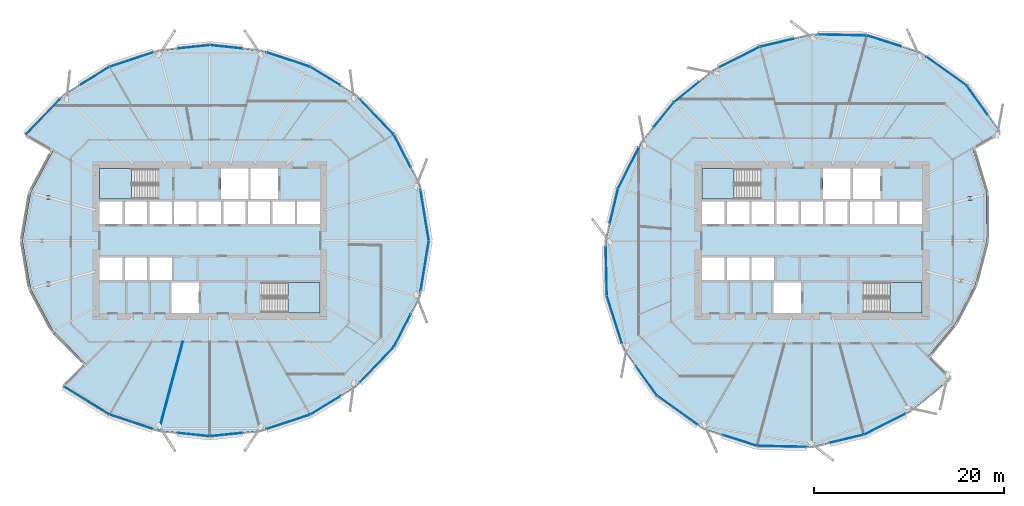
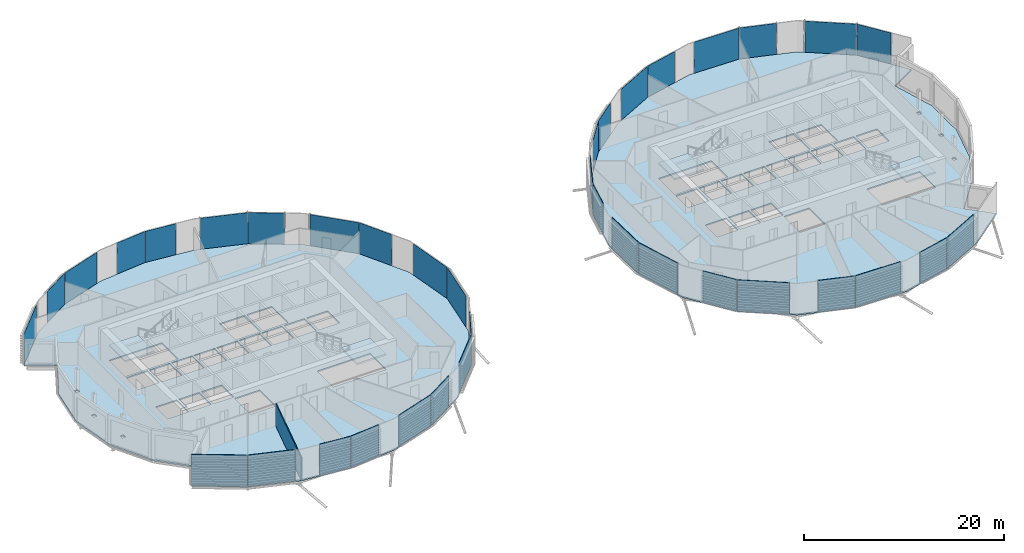
# One storey, part 19 of 38: 37 plates, 6 slabs, 1 wall, 6 elements without a shape of their own.
"""IFC4 building model written with IfcOpenShell, lengths in metres."""

from ifc_helpers import new_model, si_unit, direction, frame, frame_2d, origin, origin_2d, place, context, subcontext, project, spatial, polyline, rectangle, outline, extrude, material, layer, layer_set, type_object, element, aggregate, save


model = new_model("IFC4")

# Units and contexts
model_context = context("Model", 3, precision=1e-05, world=origin(), true_north=direction((0.0, 1.0)))
body_context = subcontext(model_context, "Body", "Model", "MODEL_VIEW")
ifc_project = project(units=[si_unit("LENGTHUNIT", "METRE"), si_unit("AREAUNIT", "SQUARE_METRE"), si_unit("VOLUMEUNIT", "CUBIC_METRE"), si_unit("PLANEANGLEUNIT", "RADIAN"), si_unit("MASSUNIT", "GRAM", prefix="KILO")], contexts=[model_context])

# Site, building, storey
site_placement = place(None, origin())
site = spatial("IfcSite", under=ifc_project, at=site_placement, CompositionType="ELEMENT")
building_placement = place(site_placement, origin())
building = spatial("IfcBuilding", under=site, at=building_placement, Name="Rimbun Link Towers", CompositionType="ELEMENT")
storey_placement = place(building_placement, frame((0.0, 0.0, 123.39990234375)))
storey = spatial("IfcBuildingStorey", under=building, at=storey_placement, Name="L30", CompositionType="ELEMENT", Elevation=123.39990234375)

# Slabs
ifc_material_1 = material(Name="Concrete C35/45", Category="concrete")
ifc_layer_1 = layer(ifc_material_1, 0.159912109375)
ifc_layer_set_1 = layer_set([ifc_layer_1], Name="COMPOSITE FLOOR 160")
slab_type_1 = type_object("IfcSlabType", Name="COMPOSITE FLOOR 160", PredefinedType="FLOOR", material=ifc_layer_set_1)
slab_1_placement = place(storey_placement, frame((0.0, 0.0, -0.159912109375)))
element("IfcSlab", 1, at=slab_1_placement, inside=storey, type_object=slab_type_1, Name="Floor slab T1 L30", PredefinedType="FLOOR", context=body_context, shape_type="SweptSolid", body=[
    extrude(outline(polyline([(-47.115478515625, 15.365478515625), (-42.321044921875, 18.3095703125), (-37.117919921875, 20.03369140625), (-31.75, 20.59912109375), (-26.382080078125, 20.03369140625), (-21.178955078125, 18.3095703125), (-16.384521484375, 15.365478515625), (-12.37646484375, 11.185302734375), (-9.652587890625, 5.9208984375), (-8.678955078125, 0.0), (-9.652587890625, -5.9208984375), (-12.37646484375, -11.185302734375), (-16.384521484375, -15.365478515625), (-21.178955078125, -18.3095703125), (-26.382080078125, -20.03369140625), (-31.75, -20.59912109375), (-37.117919921875, -20.03369140625), (-42.321044921875, -18.3095703125), (-47.115478515625, -15.365478515625), (-44.7822265625, -13.0322265625), (-48.265625, -9.535400390625), (-50.659912109375, -5.06689453125), (-51.52099609375, 0.0), (-50.659912109375, 5.06689453125), (-48.265625, 9.535400390625), (-51.12353515625, 11.185302734375), (-47.115478515625, 15.365478515625)]), holes=[polyline([(-48.601806640625, -4.765625), (-48.601806640625, -4.3720703125), (-49.000732421875, -4.3720703125), (-49.000732421875, -4.765625), (-48.601806640625, -4.765625)]), polyline([(-40.95556640625, -4.14990234375), (-40.95556640625, -1.75), (-43.375, -1.75), (-43.375, -4.14990234375), (-40.95556640625, -4.14990234375)]), polyline([(-38.361083984375, -4.14990234375), (-38.361083984375, -1.75), (-40.70556640625, -1.75), (-40.70556640625, -4.14990234375), (-38.361083984375, -4.14990234375)]), polyline([(-38.111083984375, -4.14990234375), (-35.7666015625, -4.14990234375), (-35.7666015625, -1.75), (-38.111083984375, -1.75), (-38.111083984375, -4.14990234375)]), polyline([(-49.6669921875, -0.19677734375), (-49.26806640625, -0.19677734375), (-49.26806640625, 0.19677734375), (-49.6669921875, 0.19677734375), (-49.6669921875, -0.19677734375)]), polyline([(-40.95556640625, 1.75), (-40.95556640625, 4.14990234375), (-43.375, 4.14990234375), (-43.375, 1.75), (-40.95556640625, 1.75)]), polyline([(-38.361083984375, 1.75), (-38.361083984375, 4.14990234375), (-40.70556640625, 4.14990234375), (-40.70556640625, 1.75), (-38.361083984375, 1.75)]), polyline([(-35.7666015625, 1.75), (-35.7666015625, 4.14990234375), (-38.111083984375, 4.14990234375), (-38.111083984375, 1.75), (-35.7666015625, 1.75)]), polyline([(-49.000732421875, 4.3720703125), (-48.601806640625, 4.3720703125), (-48.601806640625, 4.765625), (-49.000732421875, 4.765625), (-49.000732421875, 4.3720703125)]), polyline([(-43.375, 4.39990234375), (-37.260009765625, 4.39990234375), (-37.260009765625, 7.625), (-43.375, 7.625), (-43.375, 4.39990234375)]), polyline([(-32.89990234375, -7.625), (-32.89990234375, -4.39990234375), (-35.800048828125, -4.39990234375), (-35.800048828125, -7.625), (-32.89990234375, -7.625)]), polyline([(-20.125, -7.625), (-20.125, -4.39990234375), (-26.239990234375, -4.39990234375), (-26.239990234375, -7.625), (-20.125, -7.625)]), polyline([(-33.172119140625, 1.75), (-33.172119140625, 4.14990234375), (-35.5166015625, 4.14990234375), (-35.5166015625, 1.75), (-33.172119140625, 1.75)]), polyline([(-32.922119140625, 1.75), (-30.577880859375, 1.75), (-30.577880859375, 4.14990234375), (-32.922119140625, 4.14990234375), (-32.922119140625, 1.75)]), polyline([(-30.327880859375, 1.75), (-27.9833984375, 1.75), (-27.9833984375, 4.14990234375), (-30.327880859375, 4.14990234375), (-30.327880859375, 1.75)]), polyline([(-25.388916015625, 1.75), (-25.388916015625, 4.14990234375), (-27.7333984375, 4.14990234375), (-27.7333984375, 1.75), (-25.388916015625, 1.75)]), polyline([(-22.79443359375, 1.75), (-22.79443359375, 4.14990234375), (-25.138916015625, 4.14990234375), (-25.138916015625, 1.75), (-22.79443359375, 1.75)]), polyline([(-20.125, 1.75), (-20.125, 4.14990234375), (-22.54443359375, 4.14990234375), (-22.54443359375, 1.75), (-20.125, 1.75)]), polyline([(-30.60009765625, 4.39990234375), (-27.699951171875, 4.39990234375), (-27.699951171875, 7.625), (-30.60009765625, 7.625), (-30.60009765625, 4.39990234375)]), polyline([(-27.449951171875, 4.39990234375), (-24.550048828125, 4.39990234375), (-24.550048828125, 7.625), (-27.449951171875, 7.625), (-27.449951171875, 4.39990234375)])]), origin(), (0.0, 0.0, 1.0), 0.159912109375),
])
slab_2_placement = place(storey_placement, frame((0.0, 0.0, -0.159912109375)))
element("IfcSlab", 2, at=slab_2_placement, inside=storey, type_object=slab_type_1, Name="Floor slab T2 L30", PredefinedType="FLOOR", context=body_context, shape_type="SweptSolid", body=[
    extrude(outline(polyline([(42.1201171875, -17.961669921875), (37.221923828125, -20.421630859375), (31.75, -21.730224609375), (25.960205078125, -21.6083984375), (20.3115234375, -19.81201171875), (15.436279296875, -16.313720703125), (11.93798828125, -11.4384765625), (10.1416015625, -5.789794921875), (10.019775390625, 0.0), (11.328369140625, 5.471923828125), (13.788330078125, 10.3701171875), (17.184326171875, 14.565673828125), (21.3798828125, 17.961669921875), (26.278076171875, 20.421630859375), (31.75, 21.730224609375), (37.539794921875, 21.6083984375), (43.1884765625, 19.81201171875), (48.063720703125, 16.313720703125), (51.56201171875, 11.4384765625), (48.7041015625, 9.788330078125), (50.170654296875, 4.935791015625), (50.180419921875, 0.0), (48.98388671875, -4.617919921875), (46.85400390625, -8.72021484375), (43.982421875, -12.232421875), (46.315673828125, -14.565673828125), (42.1201171875, -17.961669921875)]), holes=[polyline([(30.60009765625, -7.625), (30.60009765625, -4.39990234375), (27.699951171875, -4.39990234375), (27.699951171875, -7.625), (30.60009765625, -7.625)]), polyline([(22.54443359375, -4.14990234375), (22.54443359375, -1.75), (20.125, -1.75), (20.125, -4.14990234375), (22.54443359375, -4.14990234375)]), polyline([(25.138916015625, -4.14990234375), (25.138916015625, -1.75), (22.79443359375, -1.75), (22.79443359375, -4.14990234375), (25.138916015625, -4.14990234375)]), polyline([(25.388916015625, -4.14990234375), (27.7333984375, -4.14990234375), (27.7333984375, -1.75), (25.388916015625, -1.75), (25.388916015625, -4.14990234375)]), polyline([(20.125, 1.75), (22.54443359375, 1.75), (22.54443359375, 4.14990234375), (20.125, 4.14990234375), (20.125, 1.75)]), polyline([(25.138916015625, 1.75), (25.138916015625, 4.14990234375), (22.79443359375, 4.14990234375), (22.79443359375, 1.75), (25.138916015625, 1.75)]), polyline([(27.7333984375, 1.75), (27.7333984375, 4.14990234375), (25.388916015625, 4.14990234375), (25.388916015625, 1.75), (27.7333984375, 1.75)]), polyline([(30.327880859375, 1.75), (30.327880859375, 4.14990234375), (27.9833984375, 4.14990234375), (27.9833984375, 1.75), (30.327880859375, 1.75)]), polyline([(30.577880859375, 1.75), (32.922119140625, 1.75), (32.922119140625, 4.14990234375), (30.577880859375, 4.14990234375), (30.577880859375, 1.75)]), polyline([(20.125, 4.39990234375), (26.239990234375, 4.39990234375), (26.239990234375, 7.625), (20.125, 7.625), (20.125, 4.39990234375)]), polyline([(43.375, -7.625), (43.375, -4.39990234375), (37.260009765625, -4.39990234375), (37.260009765625, -7.625), (43.375, -7.625)]), polyline([(47.66650390625, -4.408203125), (47.66650390625, -4.0146484375), (47.267578125, -4.0146484375), (47.267578125, -4.408203125), (47.66650390625, -4.408203125)]), polyline([(48.59521484375, -0.19677734375), (48.59521484375, 0.19677734375), (48.196044921875, 0.19677734375), (48.196044921875, -0.19677734375), (48.59521484375, -0.19677734375)]), polyline([(33.172119140625, 1.75), (35.5166015625, 1.75), (35.5166015625, 4.14990234375), (33.172119140625, 4.14990234375), (33.172119140625, 1.75)]), polyline([(35.7666015625, 1.75), (38.111083984375, 1.75), (38.111083984375, 4.14990234375), (35.7666015625, 4.14990234375), (35.7666015625, 1.75)]), polyline([(40.70556640625, 1.75), (40.70556640625, 4.14990234375), (38.361083984375, 4.14990234375), (38.361083984375, 1.75), (40.70556640625, 1.75)]), polyline([(43.375, 1.75), (43.375, 4.14990234375), (40.95556640625, 4.14990234375), (40.95556640625, 1.75), (43.375, 1.75)]), polyline([(48.609619140625, 4.26708984375), (48.609619140625, 4.660888671875), (48.21044921875, 4.660888671875), (48.21044921875, 4.26708984375), (48.609619140625, 4.26708984375)]), polyline([(32.89990234375, 4.39990234375), (35.800048828125, 4.39990234375), (35.800048828125, 7.625), (32.89990234375, 7.625), (32.89990234375, 4.39990234375)]), polyline([(36.050048828125, 4.39990234375), (38.949951171875, 4.39990234375), (38.949951171875, 7.625), (36.050048828125, 7.625), (36.050048828125, 4.39990234375)])]), origin(), (0.0, 0.0, 1.0), 0.159912109375),
])

# Curtain wall, plates
ifc_material_2 = material(Name="Aluminium 6063-T6 and low-iron glass", Category="aluminium")
curtain_wall_type = type_object("IfcCurtainWallType", Name="CW1-Z2 unitised vision wall (zone 2)", PredefinedType="NOTDEFINED", material=ifc_material_2)
curtain_wall_1_placement = place(storey_placement, origin())
curtain_wall_1 = element("IfcCurtainWall", 3, at=curtain_wall_1_placement, inside=storey, type_object=curtain_wall_type, Name="CW1 L30 T1", PredefinedType="NOTDEFINED")
ifc_material_3 = material(Name="Low-iron glass, laminated low-e unit", Category="glass")
ifc_layer_2 = layer(ifc_material_3, 0.028076171875)
ifc_layer_set_2 = layer_set([ifc_layer_2], Name="CW1 panel Low-iron glass 28")
plate_type = type_object("IfcPlateType", Name="CW1 panel Low-iron glass 28", PredefinedType="CURTAIN_PANEL", material=ifc_layer_set_2)
plate_1_placement = place(storey_placement, frame((-9.099365234375, 2.64208984375, 0.0), z_axis=(0.0, 0.0, 1.0), x_axis=(0.162269061749, -0.986746548815, 0.0)))
plate_1 = element("IfcPlate", 4, at=plate_1_placement, type_object=plate_type, Name="CW1 panel", PredefinedType="CURTAIN_PANEL", context=body_context, shape_type="SweptSolid", body=[
    extrude(rectangle(XDim=5.310546875, YDim=0.028076171875, at=origin_2d()), origin(), (0.0, 0.0, 1.0), 3.800048828125),
])
plate_2_placement = place(storey_placement, frame((-11.47314453125, 9.469970703125, 0.0), z_axis=(0.0, 0.0, 1.0), x_axis=(0.459540871589, -0.888156623203, 0.0)))
plate_2 = element("IfcPlate", 5, at=plate_2_placement, type_object=plate_type, Name="CW1 panel", PredefinedType="CURTAIN_PANEL", context=body_context, shape_type="SweptSolid", body=[
    extrude(rectangle(XDim=3.837158203125, YDim=0.028076171875, at=origin_2d()), origin(), (0.0, 0.0, 1.0), 3.800048828125),
])
plate_3_placement = place(storey_placement, frame((-14.162841796875, 13.068603515625, 0.0), z_axis=(0.0, 0.0, 1.0), x_axis=(0.692065488922, -0.721834717261, 0.0)))
plate_3 = element("IfcPlate", 6, at=plate_3_placement, type_object=plate_type, Name="CW1 panel", PredefinedType="CURTAIN_PANEL", context=body_context, shape_type="SweptSolid", body=[
    extrude(rectangle(XDim=5.151123046875, YDim=0.028076171875, at=origin_2d()), origin(), (0.0, 0.0, 1.0), 3.800048828125),
])
plate_4_placement = place(storey_placement, frame((-19.583984375, 17.3466796875, 0.0), z_axis=(0.0, 0.0, 1.0), x_axis=(0.852183322336, -0.523243332621, 0.0)))
plate_4 = element("IfcPlate", 7, at=plate_4_placement, type_object=plate_type, Name="CW1 panel", PredefinedType="CURTAIN_PANEL", context=body_context, shape_type="SweptSolid", body=[
    extrude(rectangle(XDim=3.686279296875, YDim=0.028076171875, at=origin_2d()), origin(), (0.0, 0.0, 1.0), 3.800048828125),
])
plate_5_placement = place(storey_placement, frame((-23.4912109375, 19.090576171875, 0.0), z_axis=(0.0, 0.0, 1.0), x_axis=(0.949236457235, -0.314563424855, 0.0)))
plate_5 = element("IfcPlate", 8, at=plate_5_placement, type_object=plate_type, Name="CW1 panel", PredefinedType="CURTAIN_PANEL", context=body_context, shape_type="SweptSolid", body=[
    extrude(rectangle(XDim=4.84130859375, YDim=0.028076171875, at=origin_2d()), origin(), (0.0, 0.0, 1.0), 3.800048828125),
])
plate_6_placement = place(storey_placement, frame((-30.0341796875, 20.432373046875, 0.0), z_axis=(0.0, 0.0, 1.0), x_axis=(0.994498750915, -0.104748434017, 0.0)))
plate_6 = element("IfcPlate", 9, at=plate_6_placement, type_object=plate_type, Name="CW1 panel", PredefinedType="CURTAIN_PANEL", context=body_context, shape_type="SweptSolid", body=[
    extrude(rectangle(XDim=3.40771484375, YDim=0.028076171875, at=origin_2d()), origin(), (0.0, 0.0, 1.0), 3.800048828125),
])
plate_7_placement = place(storey_placement, frame((-33.4658203125, 20.432373046875, 0.0), z_axis=(0.0, 0.0, 1.0), x_axis=(0.994498750915, 0.104748434017, 0.0)))
plate_7 = element("IfcPlate", 10, at=plate_7_placement, type_object=plate_type, Name="CW1 panel", PredefinedType="CURTAIN_PANEL", context=body_context, shape_type="SweptSolid", body=[
    extrude(rectangle(XDim=3.40771484375, YDim=0.028076171875, at=origin_2d()), origin(), (0.0, 0.0, 1.0), 3.800048828125),
])
plate_8_placement = place(storey_placement, frame((-40.0087890625, 19.090576171875, 0.0), z_axis=(0.0, 0.0, 1.0), x_axis=(0.949236457235, 0.314563424855, 0.0)))
plate_8 = element("IfcPlate", 11, at=plate_8_placement, type_object=plate_type, Name="CW1 panel", PredefinedType="CURTAIN_PANEL", context=body_context, shape_type="SweptSolid", body=[
    extrude(rectangle(XDim=4.84130859375, YDim=0.028076171875, at=origin_2d()), origin(), (0.0, 0.0, 1.0), 3.800048828125),
])
plate_9_placement = place(storey_placement, frame((-43.894775390625, 17.359619140625, 0.0), z_axis=(0.0, 0.0, 1.0), x_axis=(0.852183322336, 0.523243332621, 0.0)))
plate_9 = element("IfcPlate", 12, at=plate_9_placement, type_object=plate_type, Name="CW1 panel", PredefinedType="CURTAIN_PANEL", context=body_context, shape_type="SweptSolid", body=[
    extrude(rectangle(XDim=3.63623046875, YDim=0.028076171875, at=origin_2d()), origin(), (0.0, 0.0, 1.0), 3.800048828125),
])
plate_10_placement = place(storey_placement, frame((-49.337158203125, 13.068603515625, 0.0), z_axis=(0.0, 0.0, 1.0), x_axis=(0.692065488922, 0.721834717261, 0.0)))
plate_10 = element("IfcPlate", 13, at=plate_10_placement, type_object=plate_type, Name="CW1 panel", PredefinedType="CURTAIN_PANEL", context=body_context, shape_type="SweptSolid", body=[
    extrude(rectangle(XDim=5.151123046875, YDim=0.028076171875, at=origin_2d()), origin(), (0.0, 0.0, 1.0), 3.800048828125),
])
plate_11_placement = place(storey_placement, frame((-44.7255859375, -16.849365234375, 0.0), z_axis=(0.0, 0.0, 1.0), x_axis=(-0.852183322336, 0.523243332621, 0.0)))
plate_11 = element("IfcPlate", 14, at=plate_11_placement, type_object=plate_type, Name="CW1 panel", PredefinedType="CURTAIN_PANEL", context=body_context, shape_type="SweptSolid", body=[
    extrude(rectangle(XDim=5.586181640625, YDim=0.028076171875, at=origin_2d()), origin(), (0.0, 0.0, 1.0), 3.800048828125),
])
plate_12_placement = place(storey_placement, frame((-40.032470703125, -19.082763671875, 0.0), z_axis=(0.0, 0.0, 1.0), x_axis=(-0.949236457235, 0.314563424855, 0.0)))
plate_12 = element("IfcPlate", 15, at=plate_12_placement, type_object=plate_type, Name="CW1 panel", PredefinedType="CURTAIN_PANEL", context=body_context, shape_type="SweptSolid", body=[
    extrude(rectangle(XDim=4.791259765625, YDim=0.028076171875, at=origin_2d()), origin(), (0.0, 0.0, 1.0), 3.800048828125),
])
plate_13_placement = place(storey_placement, frame((-33.4658203125, -20.432373046875, 0.0), z_axis=(0.0, 0.0, 1.0), x_axis=(-0.994498750915, 0.104748434017, 0.0)))
plate_13 = element("IfcPlate", 16, at=plate_13_placement, type_object=plate_type, Name="CW1 panel", PredefinedType="CURTAIN_PANEL", context=body_context, shape_type="SweptSolid", body=[
    extrude(rectangle(XDim=3.40771484375, YDim=0.028076171875, at=origin_2d()), origin(), (0.0, 0.0, 1.0), 3.800048828125),
])
plate_14_placement = place(storey_placement, frame((-30.0341796875, -20.432373046875, 0.0), z_axis=(0.0, 0.0, 1.0), x_axis=(-0.994498750915, -0.104748434017, 0.0)))
plate_14 = element("IfcPlate", 17, at=plate_14_placement, type_object=plate_type, Name="CW1 panel", PredefinedType="CURTAIN_PANEL", context=body_context, shape_type="SweptSolid", body=[
    extrude(rectangle(XDim=3.40771484375, YDim=0.028076171875, at=origin_2d()), origin(), (0.0, 0.0, 1.0), 3.800048828125),
])
plate_15_placement = place(storey_placement, frame((-23.4912109375, -19.090576171875, 0.0), z_axis=(0.0, 0.0, 1.0), x_axis=(-0.949236457235, -0.314563424855, 0.0)))
plate_15 = element("IfcPlate", 18, at=plate_15_placement, type_object=plate_type, Name="CW1 panel", PredefinedType="CURTAIN_PANEL", context=body_context, shape_type="SweptSolid", body=[
    extrude(rectangle(XDim=4.84130859375, YDim=0.028076171875, at=origin_2d()), origin(), (0.0, 0.0, 1.0), 3.800048828125),
])
plate_16_placement = place(storey_placement, frame((-19.583984375, -17.3466796875, 0.0), z_axis=(0.0, 0.0, 1.0), x_axis=(-0.852183322336, -0.523243332621, 0.0)))
plate_16 = element("IfcPlate", 19, at=plate_16_placement, type_object=plate_type, Name="CW1 panel", PredefinedType="CURTAIN_PANEL", context=body_context, shape_type="SweptSolid", body=[
    extrude(rectangle(XDim=3.686279296875, YDim=0.028076171875, at=origin_2d()), origin(), (0.0, 0.0, 1.0), 3.800048828125),
])
plate_17_placement = place(storey_placement, frame((-14.162841796875, -13.068603515625, 0.0), z_axis=(0.0, 0.0, 1.0), x_axis=(-0.692065488922, -0.721834717261, 0.0)))
plate_17 = element("IfcPlate", 20, at=plate_17_placement, type_object=plate_type, Name="CW1 panel", PredefinedType="CURTAIN_PANEL", context=body_context, shape_type="SweptSolid", body=[
    extrude(rectangle(XDim=5.151123046875, YDim=0.028076171875, at=origin_2d()), origin(), (0.0, 0.0, 1.0), 3.800048828125),
])
plate_18_placement = place(storey_placement, frame((-11.47314453125, -9.469970703125, 0.0), z_axis=(0.0, 0.0, 1.0), x_axis=(-0.459540871589, -0.888156623203, 0.0)))
plate_18 = element("IfcPlate", 21, at=plate_18_placement, type_object=plate_type, Name="CW1 panel", PredefinedType="CURTAIN_PANEL", context=body_context, shape_type="SweptSolid", body=[
    extrude(rectangle(XDim=3.837158203125, YDim=0.028076171875, at=origin_2d()), origin(), (0.0, 0.0, 1.0), 3.800048828125),
])
plate_19_placement = place(storey_placement, frame((-9.099365234375, -2.64208984375, 0.0), z_axis=(0.0, 0.0, 1.0), x_axis=(-0.162269061749, -0.986746548815, 0.0)))
plate_19 = element("IfcPlate", 22, at=plate_19_placement, type_object=plate_type, Name="CW1 panel", PredefinedType="CURTAIN_PANEL", context=body_context, shape_type="SweptSolid", body=[
    extrude(rectangle(XDim=5.310546875, YDim=0.028076171875, at=origin_2d()), origin(), (0.0, 0.0, 1.0), 3.800048828125),
])
aggregate(curtain_wall_1, [plate_1, plate_2, plate_3, plate_4, plate_5, plate_6, plate_7, plate_8, plate_9, plate_10, plate_11, plate_12, plate_13, plate_14, plate_15, plate_16, plate_17, plate_18, plate_19])

curtain_wall_2_placement = place(storey_placement, origin())
curtain_wall_2 = element("IfcCurtainWall", 23, at=curtain_wall_2_placement, inside=storey, type_object=curtain_wall_type, Name="CW1 L30 T2", PredefinedType="NOTDEFINED")
plate_20_placement = place(storey_placement, frame((45.938720703125, 17.85546875, 0.0), z_axis=(0.0, 0.0, 1.0), x_axis=(0.812469264421, -0.583004026034, 0.0)))
plate_20 = element("IfcPlate", 24, at=plate_20_placement, type_object=plate_type, Name="CW1 panel", PredefinedType="CURTAIN_PANEL", context=body_context, shape_type="SweptSolid", body=[
    extrude(rectangle(XDim=5.21044921875, YDim=0.028076171875, at=origin_2d()), origin(), (0.0, 0.0, 1.0), 3.800048828125),
])
plate_21_placement = place(storey_placement, frame((39.36767578125, 21.041748046875, 0.0), z_axis=(0.0, 0.0, 1.0), x_axis=(0.952967205153, -0.303073433186, 0.0)))
plate_21 = element("IfcPlate", 25, at=plate_21_placement, type_object=plate_type, Name="CW1 panel", PredefinedType="CURTAIN_PANEL", context=body_context, shape_type="SweptSolid", body=[
    extrude(rectangle(XDim=3.787353515625, YDim=0.028076171875, at=origin_2d()), origin(), (0.0, 0.0, 1.0), 3.800048828125),
])
plate_22_placement = place(storey_placement, frame((34.945068359375, 21.677001953125, 0.0), z_axis=(0.0, 0.0, 1.0), x_axis=(0.999778076675, -0.02106649948, 0.0)))
plate_22 = element("IfcPlate", 26, at=plate_22_placement, type_object=plate_type, Name="CW1 panel", PredefinedType="CURTAIN_PANEL", context=body_context, shape_type="SweptSolid", body=[
    extrude(rectangle(XDim=5.151123046875, YDim=0.028076171875, at=origin_2d()), origin(), (0.0, 0.0, 1.0), 3.800048828125),
])
plate_23_placement = place(storey_placement, frame((28.0869140625, 20.86865234375, 0.0), z_axis=(0.0, 0.0, 1.0), x_axis=(0.972571724543, 0.232603182737, 0.0)))
plate_23 = element("IfcPlate", 27, at=plate_23_placement, type_object=plate_type, Name="CW1 panel", PredefinedType="CURTAIN_PANEL", context=body_context, shape_type="SweptSolid", body=[
    extrude(rectangle(XDim=3.686279296875, YDim=0.028076171875, at=origin_2d()), origin(), (0.0, 0.0, 1.0), 3.800048828125),
])
plate_24_placement = place(storey_placement, frame((24.0908203125, 19.3388671875, 0.0), z_axis=(0.0, 0.0, 1.0), x_axis=(0.893637652343, 0.448789200311, 0.0)))
plate_24 = element("IfcPlate", 28, at=plate_24_placement, type_object=plate_type, Name="CW1 panel", PredefinedType="CURTAIN_PANEL", context=body_context, shape_type="SweptSolid", body=[
    extrude(rectangle(XDim=4.84130859375, YDim=0.028076171875, at=origin_2d()), origin(), (0.0, 0.0, 1.0), 3.800048828125),
])
plate_25_placement = place(storey_placement, frame((18.515380859375, 15.6611328125, 0.0), z_axis=(0.0, 0.0, 1.0), x_axis=(0.777277227517, 0.62915825639, 0.0)))
plate_25 = element("IfcPlate", 29, at=plate_25_placement, type_object=plate_type, Name="CW1 panel", PredefinedType="CURTAIN_PANEL", context=body_context, shape_type="SweptSolid", body=[
    extrude(rectangle(XDim=3.40771484375, YDim=0.028076171875, at=origin_2d()), origin(), (0.0, 0.0, 1.0), 3.800048828125),
])
plate_26_placement = place(storey_placement, frame((16.1044921875, 13.254150390625, 0.0), z_axis=(0.0, 0.0, 1.0), x_axis=(0.62915825639, 0.777277227517, 0.0)))
plate_26 = element("IfcPlate", 30, at=plate_26_placement, type_object=plate_type, Name="CW1 panel", PredefinedType="CURTAIN_PANEL", context=body_context, shape_type="SweptSolid", body=[
    extrude(rectangle(XDim=3.357666015625, YDim=0.028076171875, at=origin_2d()), origin(), (0.0, 0.0, 1.0), 3.800048828125),
])
plate_27_placement = place(storey_placement, frame((12.4111328125, 7.6591796875, 0.0), z_axis=(0.0, 0.0, 1.0), x_axis=(0.448789200311, 0.893637652343, 0.0)))
plate_27 = element("IfcPlate", 31, at=plate_27_placement, type_object=plate_type, Name="CW1 panel", PredefinedType="CURTAIN_PANEL", context=body_context, shape_type="SweptSolid", body=[
    extrude(rectangle(XDim=4.84130859375, YDim=0.028076171875, at=origin_2d()), origin(), (0.0, 0.0, 1.0), 3.800048828125),
])
plate_28_placement = place(storey_placement, frame((10.88134765625, 3.6630859375, 0.0), z_axis=(0.0, 0.0, 1.0), x_axis=(0.232603182737, 0.972571724543, 0.0)))
plate_28 = element("IfcPlate", 32, at=plate_28_placement, type_object=plate_type, Name="CW1 panel", PredefinedType="CURTAIN_PANEL", context=body_context, shape_type="SweptSolid", body=[
    extrude(rectangle(XDim=3.686279296875, YDim=0.028076171875, at=origin_2d()), origin(), (0.0, 0.0, 1.0), 3.800048828125),
])
plate_29_placement = place(storey_placement, frame((10.072998046875, -3.195068359375, 0.0), z_axis=(0.0, 0.0, 1.0), x_axis=(-0.02106649948, 0.999778076675, 0.0)))
plate_29 = element("IfcPlate", 33, at=plate_29_placement, type_object=plate_type, Name="CW1 panel", PredefinedType="CURTAIN_PANEL", context=body_context, shape_type="SweptSolid", body=[
    extrude(rectangle(XDim=5.151123046875, YDim=0.028076171875, at=origin_2d()), origin(), (0.0, 0.0, 1.0), 3.800048828125),
])
plate_30_placement = place(storey_placement, frame((10.927978515625, -8.30859375, 0.0), z_axis=(0.0, 0.0, 1.0), x_axis=(-0.303073433186, 0.952967205153, 0.0)))
plate_30 = element("IfcPlate", 34, at=plate_30_placement, type_object=plate_type, Name="CW1 panel", PredefinedType="CURTAIN_PANEL", context=body_context, shape_type="SweptSolid", body=[
    extrude(rectangle(XDim=5.2373046875, YDim=0.028076171875, at=origin_2d()), origin(), (0.0, 0.0, 1.0), 3.800048828125),
])
plate_31_placement = place(storey_placement, frame((14.317138671875, -14.77783203125, 0.0), z_axis=(0.0, 0.0, 1.0), x_axis=(-0.583004026034, 0.812469264421, 0.0)))
plate_31 = element("IfcPlate", 35, at=plate_31_placement, type_object=plate_type, Name="CW1 panel", PredefinedType="CURTAIN_PANEL", context=body_context, shape_type="SweptSolid", body=[
    extrude(rectangle(XDim=3.760498046875, YDim=0.028076171875, at=origin_2d()), origin(), (0.0, 0.0, 1.0), 3.800048828125),
])
plate_32_placement = place(storey_placement, frame((17.561279296875, -17.85546875, 0.0), z_axis=(0.0, 0.0, 1.0), x_axis=(-0.812469264421, 0.583004026034, 0.0)))
plate_32 = element("IfcPlate", 36, at=plate_32_placement, type_object=plate_type, Name="CW1 panel", PredefinedType="CURTAIN_PANEL", context=body_context, shape_type="SweptSolid", body=[
    extrude(rectangle(XDim=5.21044921875, YDim=0.028076171875, at=origin_2d()), origin(), (0.0, 0.0, 1.0), 3.800048828125),
])
plate_33_placement = place(storey_placement, frame((24.13232421875, -21.041748046875, 0.0), z_axis=(0.0, 0.0, 1.0), x_axis=(-0.952967205153, 0.303073433186, 0.0)))
plate_33 = element("IfcPlate", 37, at=plate_33_placement, type_object=plate_type, Name="CW1 panel", PredefinedType="CURTAIN_PANEL", context=body_context, shape_type="SweptSolid", body=[
    extrude(rectangle(XDim=3.787353515625, YDim=0.028076171875, at=origin_2d()), origin(), (0.0, 0.0, 1.0), 3.800048828125),
])
plate_34_placement = place(storey_placement, frame((28.554931640625, -21.677001953125, 0.0), z_axis=(0.0, 0.0, 1.0), x_axis=(-0.999778076675, 0.02106649948, 0.0)))
plate_34 = element("IfcPlate", 38, at=plate_34_placement, type_object=plate_type, Name="CW1 panel", PredefinedType="CURTAIN_PANEL", context=body_context, shape_type="SweptSolid", body=[
    extrude(rectangle(XDim=5.151123046875, YDim=0.028076171875, at=origin_2d()), origin(), (0.0, 0.0, 1.0), 3.800048828125),
])
plate_35_placement = place(storey_placement, frame((35.4130859375, -20.86865234375, 0.0), z_axis=(0.0, 0.0, 1.0), x_axis=(-0.972571724543, -0.232603182737, 0.0)))
plate_35 = element("IfcPlate", 39, at=plate_35_placement, type_object=plate_type, Name="CW1 panel", PredefinedType="CURTAIN_PANEL", context=body_context, shape_type="SweptSolid", body=[
    extrude(rectangle(XDim=3.686279296875, YDim=0.028076171875, at=origin_2d()), origin(), (0.0, 0.0, 1.0), 3.800048828125),
])
plate_36_placement = place(storey_placement, frame((39.4091796875, -19.3388671875, 0.0), z_axis=(0.0, 0.0, 1.0), x_axis=(-0.893637652343, -0.448789200311, 0.0)))
plate_36 = element("IfcPlate", 40, at=plate_36_placement, type_object=plate_type, Name="CW1 panel", PredefinedType="CURTAIN_PANEL", context=body_context, shape_type="SweptSolid", body=[
    extrude(rectangle(XDim=4.84130859375, YDim=0.028076171875, at=origin_2d()), origin(), (0.0, 0.0, 1.0), 3.800048828125),
])
plate_37_placement = place(storey_placement, frame((49.182861328125, 14.77783203125, 0.0), z_axis=(0.0, 0.0, 1.0), x_axis=(0.583004026034, -0.812469264421, 0.0)))
plate_37 = element("IfcPlate", 41, at=plate_37_placement, type_object=plate_type, Name="CW1 panel", PredefinedType="CURTAIN_PANEL", context=body_context, shape_type="SweptSolid", body=[
    extrude(rectangle(XDim=3.760498046875, YDim=0.028076171875, at=origin_2d()), origin(), (0.0, 0.0, 1.0), 3.800048828125),
])
aggregate(curtain_wall_2, [plate_20, plate_21, plate_22, plate_23, plate_24, plate_25, plate_26, plate_27, plate_28, plate_29, plate_30, plate_31, plate_32, plate_33, plate_34, plate_35, plate_36, plate_37])

# Stair, slab
ifc_material_4 = material(Name="Concrete C40/50", Category="concrete")
stair_type = type_object("IfcStairType", Name="Exit stair 3800 rise", PredefinedType="HALF_TURN_STAIR", material=ifc_material_4)
stair_1_placement = place(storey_placement, origin())
stair_1 = element("IfcStair", 42, at=stair_1_placement, inside=storey, type_object=stair_type, Name="L30 EXIT STAIR A", PredefinedType="HALF_TURN_STAIR")
ifc_material_5 = material(Name="Concrete C40/50", Category="concrete")
ifc_layer_3 = layer(ifc_material_5, 0.199951171875)
ifc_layer_set_3 = layer_set([ifc_layer_3], Name="Stair landing")
slab_type_2 = type_object("IfcSlabType", Name="Stair landing", PredefinedType="LANDING", material=ifc_layer_set_3)
slab_3_placement = place(storey_placement, frame((0.0, 0.0, 1.7001953125)))
slab_3 = element("IfcSlab", 43, at=slab_3_placement, type_object=slab_type_2, Name="ST1 landing 1", PredefinedType="LANDING", context=body_context, shape_type="SweptSolid", body=[
    extrude(outline(polyline([(-40.0, 7.625), (-43.375, 7.625), (-43.375, 4.39990234375), (-40.0, 4.39990234375), (-40.0, 7.625)])), origin(), (0.0, 0.0, 1.0), 0.199951171875),
])
aggregate(stair_1, [slab_3])

stair_2_placement = place(storey_placement, origin())
stair_2 = element("IfcStair", 44, at=stair_2_placement, inside=storey, type_object=stair_type, Name="L30 EXIT STAIR B", PredefinedType="HALF_TURN_STAIR")
slab_4_placement = place(storey_placement, frame((0.0, 0.0, 1.7001953125)))
slab_4 = element("IfcSlab", 45, at=slab_4_placement, type_object=slab_type_2, Name="ST2 landing 1", PredefinedType="LANDING", context=body_context, shape_type="SweptSolid", body=[
    extrude(outline(polyline([(-23.5, -7.625), (-20.125, -7.625), (-20.125, -4.39990234375), (-23.5, -4.39990234375), (-23.5, -7.625)])), origin(), (0.0, 0.0, 1.0), 0.199951171875),
])
aggregate(stair_2, [slab_4])

stair_3_placement = place(storey_placement, origin())
stair_3 = element("IfcStair", 46, at=stair_3_placement, inside=storey, type_object=stair_type, Name="L30 EXIT STAIR A", PredefinedType="HALF_TURN_STAIR")
slab_5_placement = place(storey_placement, frame((0.0, 0.0, 1.7001953125)))
slab_5 = element("IfcSlab", 47, at=slab_5_placement, type_object=slab_type_2, Name="ST3 landing 1", PredefinedType="LANDING", context=body_context, shape_type="SweptSolid", body=[
    extrude(outline(polyline([(23.5, 7.625), (20.125, 7.625), (20.125, 4.39990234375), (23.5, 4.39990234375), (23.5, 7.625)])), origin(), (0.0, 0.0, 1.0), 0.199951171875),
])
aggregate(stair_3, [slab_5])

stair_4_placement = place(storey_placement, origin())
stair_4 = element("IfcStair", 48, at=stair_4_placement, inside=storey, type_object=stair_type, Name="L30 EXIT STAIR B", PredefinedType="HALF_TURN_STAIR")
slab_6_placement = place(storey_placement, frame((0.0, 0.0, 1.7001953125)))
slab_6 = element("IfcSlab", 49, at=slab_6_placement, type_object=slab_type_2, Name="ST4 landing 1", PredefinedType="LANDING", context=body_context, shape_type="SweptSolid", body=[
    extrude(outline(polyline([(40.0, -7.625), (43.375, -7.625), (43.375, -4.39990234375), (40.0, -4.39990234375), (40.0, -7.625)])), origin(), (0.0, 0.0, 1.0), 0.199951171875),
])
aggregate(stair_4, [slab_6])

# Wall
ifc_material_6 = material(Name="Plasterboard on steel stud", Category="steel")
ifc_layer_4 = layer(ifc_material_6, 0.10009765625)
ifc_layer_set_4 = layer_set([ifc_layer_4], Name="Plasterboard partition 100 mm")
wall_type = type_object("IfcWallType", Name="Plasterboard partition 100 mm", PredefinedType="PARTITIONING", material=ifc_layer_set_4)
wall_placement = place(storey_placement, frame((-37.117919921875, -20.03369140625, 0.0), z_axis=(0.0, 0.0, 1.0), x_axis=(0.258798055813, 0.965931450108, 0.0)))
element("IfcWall", 50, at=wall_placement, inside=storey, type_object=wall_type, Name="Plasterboard partition 100 mm", PredefinedType="PARTITIONING", context=body_context, shape_type="SweptSolid", body=[
    extrude(rectangle(XDim=9.71484375, YDim=0.10009765625, at=frame_2d((4.857421875, 0.0))), origin(), (0.0, 0.0, 1.0), 2.759033203125),
])

save(model, "model.ifc")
